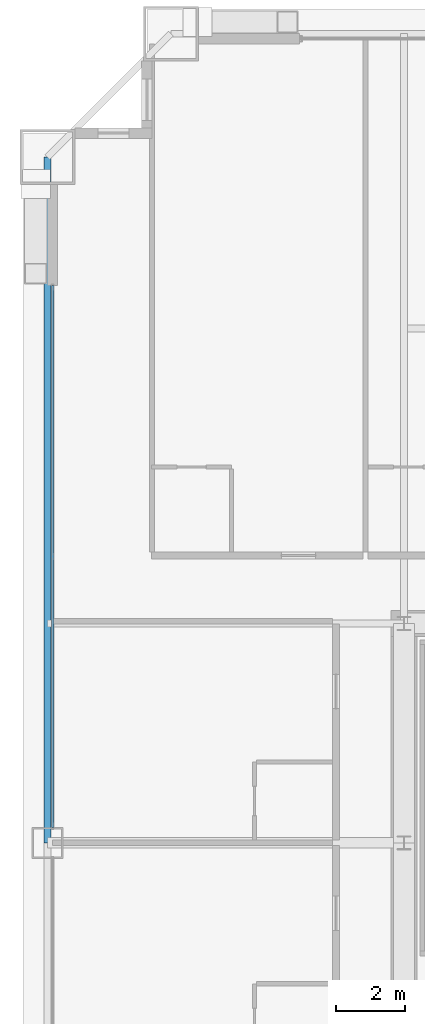
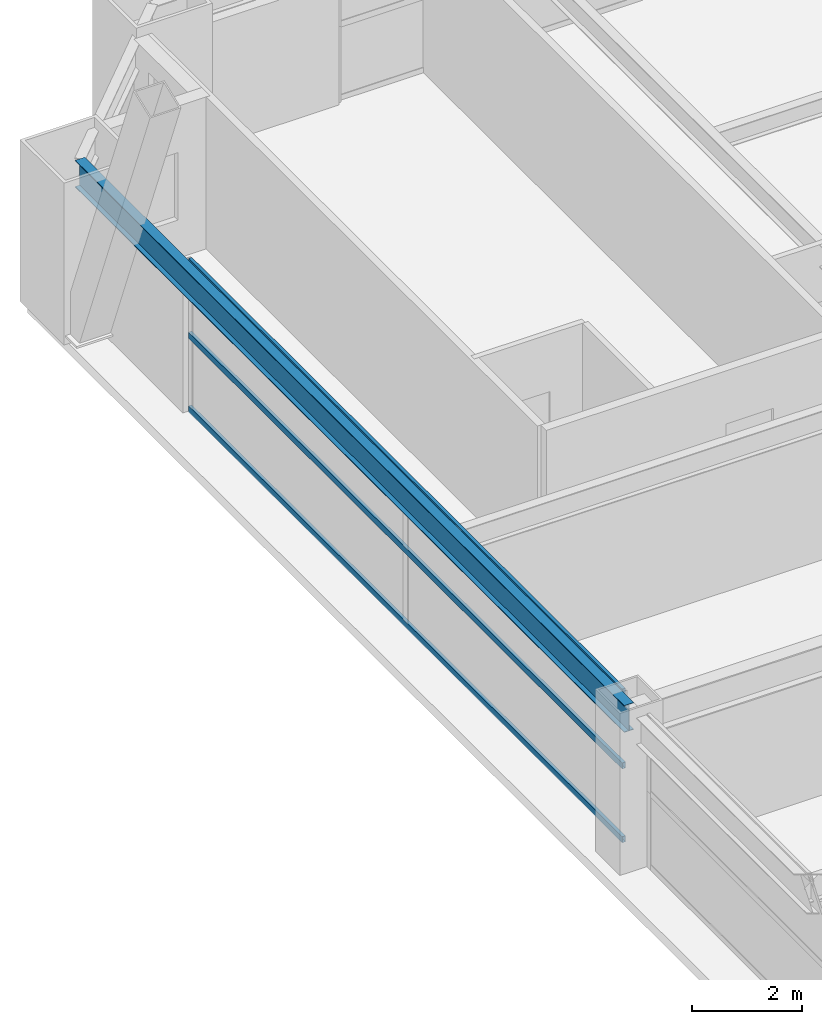
# One storey, part 24 of 43: 3 members, 1 beam, 1 element without a shape of its own.
"""IFC4 building model written with IfcOpenShell, lengths in metres."""

from ifc_helpers import new_model, si_unit, direction, frame, origin, origin_2d, place, context, subcontext, project, spatial, hollow_rectangle, i_section, extrude, source, transform, mapped, material, layer, layer_set, material_profile, profile_set, type_object, element, aggregate, save


model = new_model("IFC4")

# Units and contexts
model_context = context("Model", 3, precision=1e-05, world=origin(), true_north=direction((0.0, 1.0)))
body_context = subcontext(model_context, "Body", "Model", "MODEL_VIEW")
ifc_project = project(units=[si_unit("LENGTHUNIT", "METRE"), si_unit("AREAUNIT", "SQUARE_METRE"), si_unit("VOLUMEUNIT", "CUBIC_METRE"), si_unit("PLANEANGLEUNIT", "RADIAN"), si_unit("MASSUNIT", "GRAM", prefix="KILO"), si_unit("THERMODYNAMICTEMPERATUREUNIT", "KELVIN"), si_unit("POWERUNIT", "WATT")], contexts=[model_context])

# Site, building, storey
site_placement = place(None, origin())
site = spatial("IfcSite", under=ifc_project, at=site_placement, CompositionType="ELEMENT")
building_placement = place(site_placement, origin())
building = spatial("IfcBuilding", under=site, at=building_placement, Name="Yuzanri Waterfront Tower", CompositionType="ELEMENT")
storey_placement = place(building_placement, frame((0.0, 0.0, 159.60009765625)))
storey = spatial("IfcBuildingStorey", under=building, at=storey_placement, Name="L42", CompositionType="ELEMENT", Elevation=159.60009765625)

# Beam
ifc_material_1 = material(Name="Steel Q355B", Category="steel")
ifc_material_profile_1 = material_profile(ifc_material_1, i_section(OverallWidth=0.199951171875, OverallDepth=0.60009765625, WebThickness=0.010986328125, FlangeThickness=0.01708984375, at=origin_2d()), Name="HN 600x200x11x17")
ifc_profile_set_1 = profile_set([ifc_material_profile_1], Name="Steel Q355B")
beam_type = type_object("IfcBeamType", Name="Perimeter Spandrel Q355B HN 600x200", PredefinedType="SPANDREL", material=ifc_profile_set_1)
shared_shape_1 = source(origin(), body_context, "Body", "SweptSolid", [
    extrude(i_section(OverallWidth=0.199951171875, OverallDepth=0.60009765625, WebThickness=0.010986328125, FlangeThickness=0.01708984375, at=origin_2d()), origin(), (0.0, 0.0, 1.0), 20.0),
])
beam_placement = place(storey_placement, frame((13.39990234375, 45.800048828125, 3.079833984375), z_axis=(0.0, -1.0, 0.0), x_axis=(1.0, 0.0, 0.0)))
element("IfcBeam", 1, at=beam_placement, inside=storey, type_object=beam_type, Name="L42 Perimeter Spandrel W3-W2", PredefinedType="SPANDREL", context=body_context, shape_type="MappedRepresentation", body=[
    mapped(shared_shape_1, transform((0.0, 0.0, 0.0), scale=1.0)),
])

# Curtain wall, members
ifc_material_2 = material(Name="Anodized Architectural Bronze", Category="metal")
ifc_layer = layer(ifc_material_2, 0.159912109375)
ifc_layer_set = layer_set([ifc_layer], Name="Anodized Architectural Bronze")
curtain_wall_type = type_object("IfcCurtainWallType", Name="Anodized Bronze Hotel Upper-Tier Solar-Control Unitized Curtain Wall 7800", PredefinedType="NOTDEFINED", material=ifc_layer_set)
curtain_wall_placement = place(storey_placement, origin())
curtain_wall = element("IfcCurtainWall", 2, at=curtain_wall_placement, inside=storey, type_object=curtain_wall_type, Name="L42 Curtain Wall CW-L42-WR", PredefinedType="NOTDEFINED")
ifc_material_3 = material(Name="Anodized Architectural Bronze", Category="metal")
ifc_material_profile_2 = material_profile(ifc_material_3, hollow_rectangle(XDim=0.070068359375, YDim=0.135009765625, WallThickness=0.00341796875, at=origin_2d()), Name="CWT 70x135")
ifc_profile_set_2 = profile_set([ifc_material_profile_2], Name="Anodized Architectural Bronze")
member_type = type_object("IfcMemberType", Name="Anodized Bronze Standard Curtain-Wall Transom 70x135", PredefinedType="USERDEFINED", material=ifc_profile_set_2)
shared_shape_2 = source(origin(), body_context, "Body", "SweptSolid", [
    extrude(hollow_rectangle(XDim=0.070068359375, YDim=0.135009765625, WallThickness=0.00341796875, at=origin_2d()), origin(), (0.0, 0.0, 1.0), 15.800048828125),
])
member_1_placement = place(storey_placement, frame((13.550048828125, 26.25, 0.0498046875), z_axis=(0.0, 1.0, 0.0), x_axis=(-1.0, 0.0, 0.0)))
member_1 = element("IfcMember", 3, at=member_1_placement, type_object=member_type, Name="CW-L42-WR Transom 1", ObjectType="TRANSOM", PredefinedType="USERDEFINED", context=body_context, shape_type="MappedRepresentation", body=[
    mapped(shared_shape_2, transform((0.0, 0.0, 0.0), scale=1.0)),
])
member_2_placement = place(storey_placement, frame((13.550048828125, 26.25, 1.68994140625), z_axis=(0.0, 1.0, 0.0), x_axis=(-1.0, 0.0, 0.0)))
member_2 = element("IfcMember", 4, at=member_2_placement, type_object=member_type, Name="CW-L42-WR Transom 2", ObjectType="TRANSOM", PredefinedType="USERDEFINED", context=body_context, shape_type="MappedRepresentation", body=[
    mapped(shared_shape_2, transform((0.0, 0.0, 0.0), scale=1.0)),
])
member_3_placement = place(storey_placement, frame((13.550048828125, 26.25, 3.329833984375), z_axis=(0.0, 1.0, 0.0), x_axis=(-1.0, 0.0, 0.0)))
member_3 = element("IfcMember", 5, at=member_3_placement, type_object=member_type, Name="CW-L42-WR Transom 3", ObjectType="TRANSOM", PredefinedType="USERDEFINED", context=body_context, shape_type="MappedRepresentation", body=[
    mapped(shared_shape_2, transform((0.0, 0.0, 0.0), scale=1.0)),
])
aggregate(curtain_wall, [member_1, member_2, member_3])

save(model, "model.ifc")
